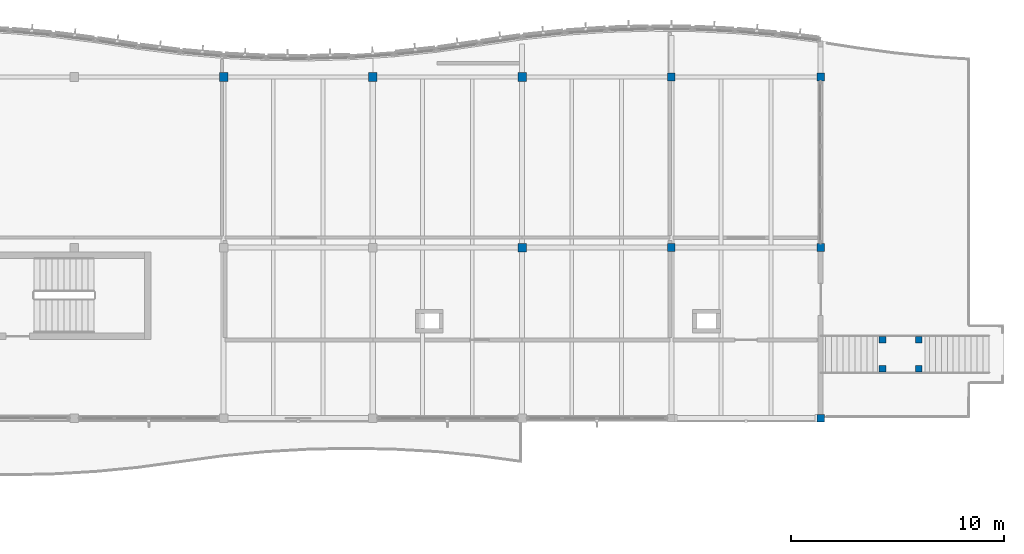
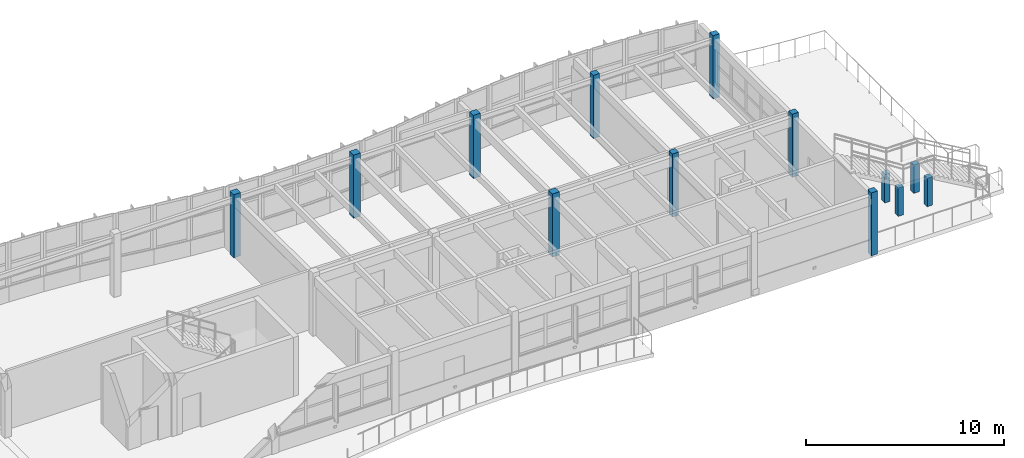
# One storey, part 3 of 52: 13 columns.
"""IFC4 building model written with IfcOpenShell, lengths in metres."""

from ifc_helpers import new_model, si_unit, direction, frame, origin, origin_2d, place, context, subcontext, project, spatial, rectangle, extrude, material, material_profile, profile_set, type_object, element, save


model = new_model("IFC4")

# Units and contexts
model_context = context("Model", 3, precision=1e-05, world=origin(), true_north=direction((0.0, 1.0)))
body_context = subcontext(model_context, "Body", "Model", "MODEL_VIEW")
ifc_project = project(units=[si_unit("LENGTHUNIT", "METRE"), si_unit("AREAUNIT", "SQUARE_METRE"), si_unit("VOLUMEUNIT", "CUBIC_METRE"), si_unit("PLANEANGLEUNIT", "RADIAN"), si_unit("MASSUNIT", "GRAM", prefix="KILO")], contexts=[model_context])

# Site, building, storey
site_placement = place(None, origin())
site = spatial("IfcSite", under=ifc_project, at=site_placement, CompositionType="ELEMENT")
building_placement = place(site_placement, origin())
building = spatial("IfcBuilding", under=site, at=building_placement, Name="Tonlespit Floodbar School", CompositionType="ELEMENT")
storey_placement = place(building_placement, frame((0.0, 0.0, 12.300048828125)))
storey = spatial("IfcBuildingStorey", under=building, at=storey_placement, Name="L03", CompositionType="ELEMENT", Elevation=12.300048828125)

# Columns
ifc_material = material(Name="Glulam GL28h", Category="wood")
ifc_material_profile_1 = material_profile(ifc_material, rectangle(XDim=0.320068359375, YDim=0.320068359375, at=origin_2d()), Name="GL 320x320")
ifc_profile_set_1 = profile_set([ifc_material_profile_1], Name="Glulam GL28h")
column_type_1 = type_object("IfcColumnType", Name="Column_GL_320x320", PredefinedType="COLUMN", material=ifc_profile_set_1)
for number, where, z_axis, x_axis, name in (
    (1, (166.60009765625, 107.679931640625, 0.0), (0.0, 0.0, 1.0), (1.0, 0.0, 0.0), "L03 stair ST-L2 landing column 1"),
    (2, (164.89990234375, 107.679931640625, 0.0), (0.0, 0.0, 1.0), (1.0, 0.0, 0.0), "L03 stair ST-L2 landing column 2"),
    (3, (164.89990234375, 106.320068359375, 0.0), (0.0, 0.0, 1.0), (1.0, 0.0, 0.0), "L03 stair ST-L2 landing column 3"),
    (4, (166.60009765625, 106.320068359375, 0.0), (0.0, 0.0, 1.0), (1.0, 0.0, 0.0), "L03 stair ST-L2 landing column 4"),
):
    element("IfcColumn", number, at=place(storey_placement, frame(where, z_axis=z_axis, x_axis=x_axis)), inside=storey, type_object=column_type_1, Name=name, PredefinedType="COLUMN", context=body_context, shape_type="SweptSolid", body=[
        extrude(rectangle(XDim=0.320068359375, YDim=0.320068359375, at=origin_2d()), origin(), (0.0, 0.0, 1.0), 1.75),
    ])
ifc_material_profile_2 = material_profile(ifc_material, rectangle(XDim=0.360107421875, YDim=0.360107421875, at=origin_2d()), Name="GL 360x360")
ifc_profile_set_2 = profile_set([ifc_material_profile_2], Name="Glulam GL28h")
column_type_2 = type_object("IfcColumnType", Name="Column_GL_360x360", PredefinedType="COLUMN", material=ifc_profile_set_2)
for number, where, z_axis, x_axis, name in (
    (5, (155.0, 112.0, 0.0), (0.0, 0.0, 1.0), (1.0, 0.0, 0.0), "L03 column U19/V16"),
    (6, (155.0, 120.0, 0.0), (0.0, 0.0, 1.0), (1.0, 0.0, 0.0), "L03 column U19/V17"),
    (7, (162.0, 104.0, 0.0), (0.0, 0.0, 1.0), (1.0, 0.0, 0.0), "L03 column U20/V15"),
    (8, (162.0, 112.0, 0.0), (0.0, 0.0, 1.0), (1.0, 0.0, 0.0), "L03 column U20/V16"),
    (9, (162.0, 120.0, 0.0), (0.0, 0.0, 1.0), (1.0, 0.0, 0.0), "L03 column U20/V17"),
):
    element("IfcColumn", number, at=place(storey_placement, frame(where, z_axis=z_axis, x_axis=x_axis)), inside=storey, type_object=column_type_2, Name=name, PredefinedType="COLUMN", context=body_context, shape_type="SweptSolid", body=[
        extrude(rectangle(XDim=0.360107421875, YDim=0.360107421875, at=origin_2d()), origin(), (0.0, 0.0, 1.0), 3.89990234375),
    ])
ifc_material_profile_3 = material_profile(ifc_material, rectangle(XDim=0.39990234375, YDim=0.39990234375, at=origin_2d()), Name="GL 400x400")
ifc_profile_set_3 = profile_set([ifc_material_profile_3], Name="Glulam GL28h")
column_type_3 = type_object("IfcColumnType", Name="Column_GL_400x400", PredefinedType="COLUMN", material=ifc_profile_set_3)
for number, where, z_axis, x_axis, name in (
    (10, (134.0, 120.0, 0.0), (0.0, 0.0, 1.0), (1.0, 0.0, 0.0), "L03 column U16/V17"),
    (11, (141.0, 120.0, 0.0), (0.0, 0.0, 1.0), (1.0, 0.0, 0.0), "L03 column U17/V17"),
    (12, (148.0, 112.0, 0.0), (0.0, 0.0, 1.0), (1.0, 0.0, 0.0), "L03 column U18/V16"),
    (13, (148.0, 120.0, 0.0), (0.0, 0.0, 1.0), (1.0, 0.0, 0.0), "L03 column U18/V17"),
):
    element("IfcColumn", number, at=place(storey_placement, frame(where, z_axis=z_axis, x_axis=x_axis)), inside=storey, type_object=column_type_3, Name=name, PredefinedType="COLUMN", context=body_context, shape_type="SweptSolid", body=[
        extrude(rectangle(XDim=0.39990234375, YDim=0.39990234375, at=origin_2d()), origin(), (0.0, 0.0, 1.0), 3.89990234375),
    ])

save(model, "model.ifc")
